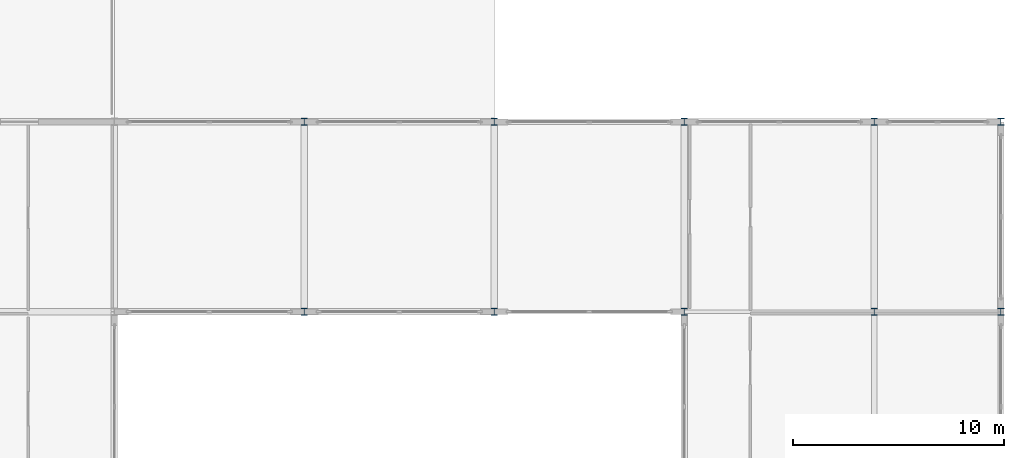
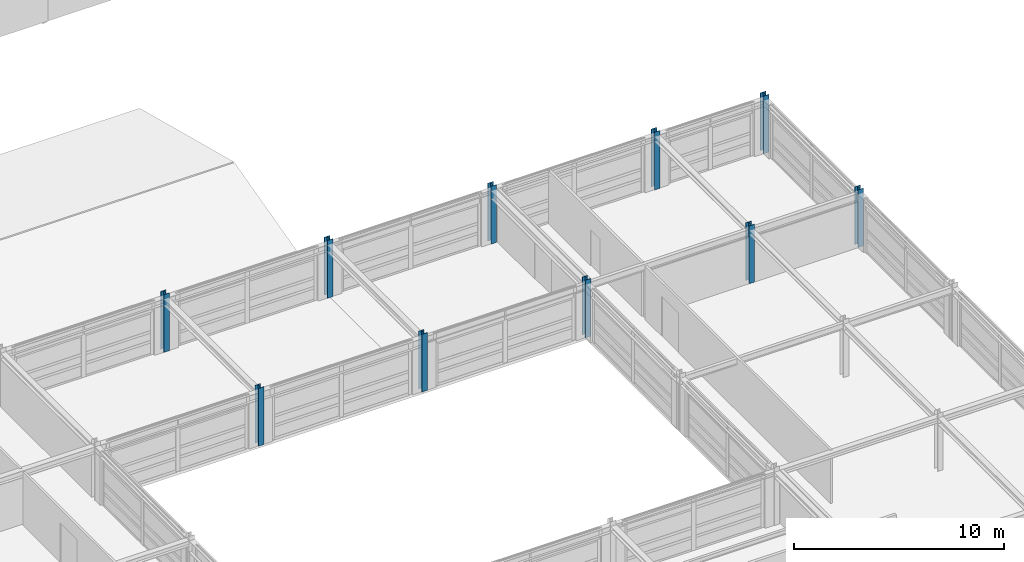
# One storey, part 13 of 91: 10 columns.
"""IFC4 building model written with IfcOpenShell, lengths in metres."""

from ifc_helpers import new_model, si_unit, direction, frame, origin, origin_2d, place, context, subcontext, project, spatial, i_section, extrude, material, material_profile, profile_set, type_object, element, save


model = new_model("IFC4")

# Units and contexts
model_context = context("Model", 3, precision=1e-05, world=origin(), true_north=direction((0.0, 1.0)))
body_context = subcontext(model_context, "Body", "Model", "MODEL_VIEW")
ifc_project = project(units=[si_unit("LENGTHUNIT", "METRE"), si_unit("AREAUNIT", "SQUARE_METRE"), si_unit("VOLUMEUNIT", "CUBIC_METRE"), si_unit("PLANEANGLEUNIT", "RADIAN"), si_unit("MASSUNIT", "GRAM", prefix="KILO")], contexts=[model_context])

# Site, building, storey
site_placement = place(None, origin())
site = spatial("IfcSite", under=ifc_project, at=site_placement, CompositionType="ELEMENT")
building_placement = place(site_placement, origin())
building = spatial("IfcBuilding", under=site, at=building_placement, Name="Palais des Congres Ocreval", CompositionType="ELEMENT")
storey_placement = place(building_placement, frame((0.0, 0.0, 8.159912109375)))
storey = spatial("IfcBuildingStorey", under=building, at=storey_placement, Name="L02", CompositionType="ELEMENT", Elevation=8.159912109375)

# Columns
ifc_material = material(Name="Steel S355", Category="steel")
ifc_material_profile = material_profile(ifc_material, i_section(OverallWidth=0.300048828125, OverallDepth=0.320068359375, WebThickness=0.011474609375, FlangeThickness=0.0205078125, at=origin_2d()), Name="HEB 320")
ifc_profile_set = profile_set([ifc_material_profile], Name="Steel S355")
column_type = type_object("IfcColumnType", Name="Column HEB 320 Steel S355", PredefinedType="COLUMN", material=ifc_profile_set)
for number, where, z_axis, x_axis, name in (
    (1, (135.0, 36.0, 0.0), (0.0, 0.0, 1.0), (1.0, 0.0, 0.0), "Column C12 L02"),
    (2, (135.0, 45.0, 0.0), (0.0, 0.0, 1.0), (1.0, 0.0, 0.0), "Column C12 L02"),
    (3, (144.0, 36.0, 0.0), (0.0, 0.0, 1.0), (1.0, 0.0, 0.0), "Column C12 L02"),
    (4, (144.0, 45.0, 0.0), (0.0, 0.0, 1.0), (1.0, 0.0, 0.0), "Column C12 L02"),
    (5, (153.0, 36.0, 0.0), (0.0, 0.0, 1.0), (1.0, 0.0, 0.0), "Column C12 L02"),
    (6, (153.0, 45.0, 0.0), (0.0, 0.0, 1.0), (1.0, 0.0, 0.0), "Column C12 L02"),
    (7, (162.0, 36.0, 0.0), (0.0, 0.0, 1.0), (1.0, 0.0, 0.0), "Column C12 L02"),
    (8, (162.0, 45.0, 0.0), (0.0, 0.0, 1.0), (1.0, 0.0, 0.0), "Column C12 L02"),
    (9, (168.0, 36.0, 0.0), (0.0, 0.0, 1.0), (1.0, 0.0, 0.0), "Column C12 L02"),
    (10, (168.0, 45.0, 0.0), (0.0, 0.0, 1.0), (1.0, 0.0, 0.0), "Column C12 L02"),
):
    element("IfcColumn", number, at=place(storey_placement, frame(where, z_axis=z_axis, x_axis=x_axis)), inside=storey, type_object=column_type, Name=name, PredefinedType="COLUMN", context=body_context, shape_type="SweptSolid", body=[
        extrude(i_section(OverallWidth=0.300048828125, OverallDepth=0.320068359375, WebThickness=0.011474609375, FlangeThickness=0.0205078125, at=origin_2d()), origin(), (0.0, 0.0, 1.0), 3.360107421875),
    ])

save(model, "model.ifc")
